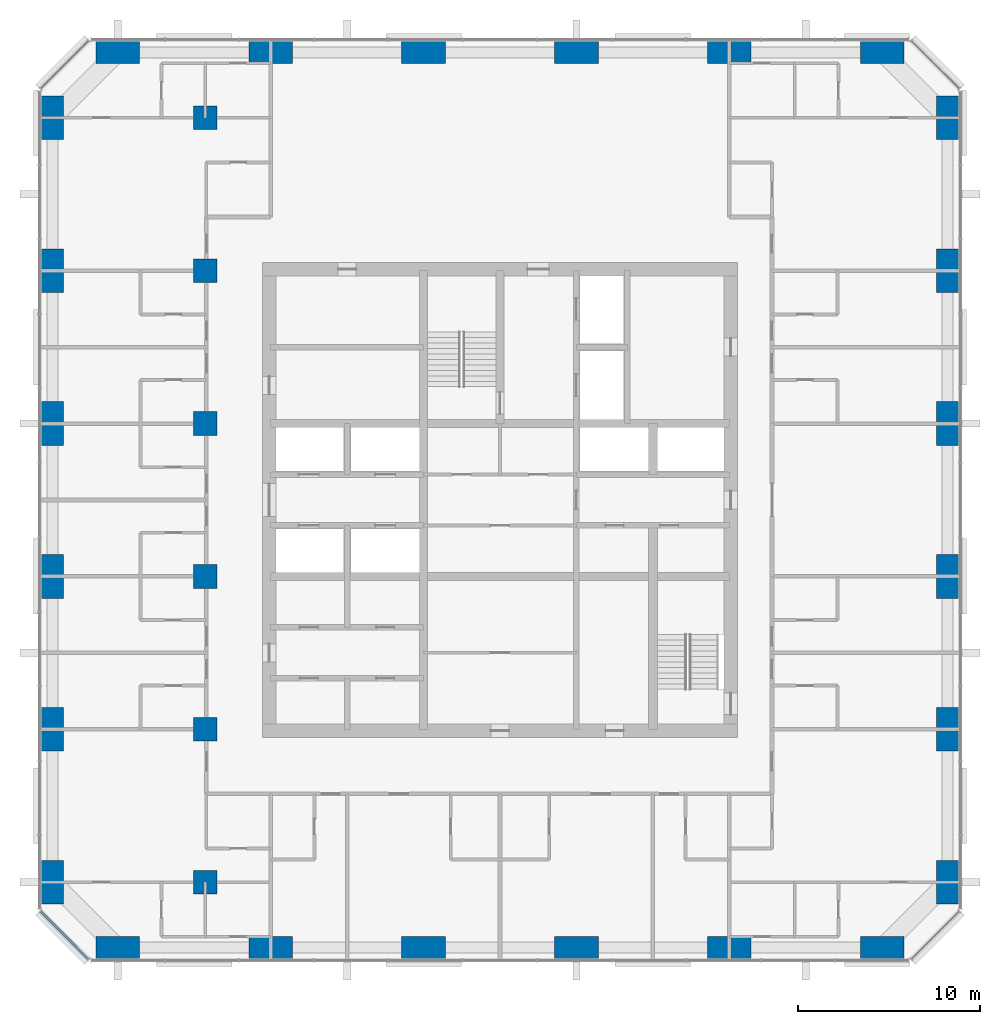
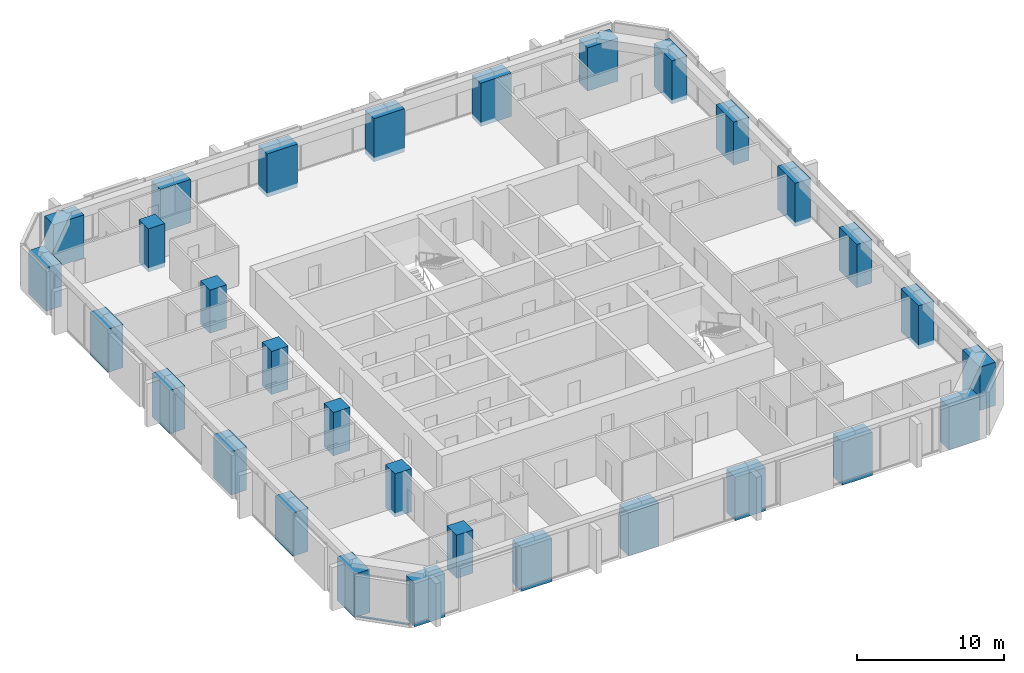
# One storey, part 1 of 13: 30 columns, 1 member, 1 element without a shape of its own.
"""IFC4 building model written with IfcOpenShell, lengths in metres."""

from ifc_helpers import new_model, si_unit, direction, frame, origin, origin_2d, place, context, subcontext, project, spatial, rectangle, extrude, material, material_profile, profile_set, type_object, element, aggregate, save


model = new_model("IFC4")

# Units and contexts
model_context = context("Model", 3, precision=1e-05, world=origin(), true_north=direction((0.0, 1.0)))
body_context = subcontext(model_context, "Body", "Model", "MODEL_VIEW")
ifc_project = project(units=[si_unit("LENGTHUNIT", "METRE"), si_unit("AREAUNIT", "SQUARE_METRE"), si_unit("VOLUMEUNIT", "CUBIC_METRE"), si_unit("PLANEANGLEUNIT", "RADIAN"), si_unit("MASSUNIT", "GRAM", prefix="KILO")], contexts=[model_context])

# Site, building, storey
site_placement = place(None, origin())
site = spatial("IfcSite", under=ifc_project, at=site_placement, CompositionType="ELEMENT")
building_placement = place(site_placement, origin())
building = spatial("IfcBuilding", under=site, at=building_placement, Name="Dunama Terrace Hotel", CompositionType="ELEMENT")
storey_placement = place(building_placement, frame((0.0, 0.0, 173.39990234375)))
storey = spatial("IfcBuildingStorey", under=building, at=storey_placement, Name="L44", CompositionType="ELEMENT", Elevation=173.39990234375)

# Columns
ifc_material_1 = material(Name="Concrete C60/75", Category="concrete")
ifc_material_profile_1 = material_profile(ifc_material_1, rectangle(XDim=1.199951171875, YDim=2.39990234375, at=origin_2d()), Name="RC 1200x2400")
ifc_profile_set_1 = profile_set([ifc_material_profile_1], Name="Concrete C60/75")
column_type_1 = type_object("IfcColumnType", Name="Column RC 1200x2400", PredefinedType="COLUMN", material=ifc_profile_set_1)
for number, where, z_axis, x_axis, name in (
    (1, (4.800048828125, 8.39990234375, -0.349853515625), (0.0, 0.0, 1.0), (1.0, 0.0, 0.0), "Column L44 +4.8/+8.4"),
    (2, (4.800048828125, 16.800048828125, -0.349853515625), (0.0, 0.0, 1.0), (1.0, 0.0, 0.0), "Column L44 +4.8/+16.8"),
    (3, (4.800048828125, 25.199951171875, -0.349853515625), (0.0, 0.0, 1.0), (1.0, 0.0, 0.0), "Column L44 +4.8/+25.2"),
    (4, (4.800048828125, 33.60009765625, -0.349853515625), (0.0, 0.0, 1.0), (1.0, 0.0, 0.0), "Column L44 +4.8/+33.6"),
    (5, (4.800048828125, 42.0, -0.349853515625), (0.0, 0.0, 1.0), (1.0, 0.0, 0.0), "Column L44 +4.8/+42.0"),
    (6, (4.800048828125, 50.39990234375, -0.349853515625), (0.0, 0.0, 1.0), (1.0, 0.0, 0.0), "Column L44 +4.8/+50.4"),
    (7, (54.0, 8.39990234375, -0.349853515625), (0.0, 0.0, 1.0), (1.0, 0.0, 0.0), "Column L44 +54.0/+8.4"),
    (8, (54.0, 16.800048828125, -0.349853515625), (0.0, 0.0, 1.0), (1.0, 0.0, 0.0), "Column L44 +54.0/+16.8"),
    (9, (54.0, 25.199951171875, -0.349853515625), (0.0, 0.0, 1.0), (1.0, 0.0, 0.0), "Column L44 +54.0/+25.2"),
    (10, (54.0, 33.60009765625, -0.349853515625), (0.0, 0.0, 1.0), (1.0, 0.0, 0.0), "Column L44 +54.0/+33.6"),
    (11, (54.0, 42.0, -0.349853515625), (0.0, 0.0, 1.0), (1.0, 0.0, 0.0), "Column L44 +54.0/+42.0"),
    (12, (54.0, 50.39990234375, -0.349853515625), (0.0, 0.0, 1.0), (1.0, 0.0, 0.0), "Column L44 +54.0/+50.4"),
):
    element("IfcColumn", number, at=place(storey_placement, frame(where, z_axis=z_axis, x_axis=x_axis)), inside=storey, type_object=column_type_1, Name=name, PredefinedType="COLUMN", context=body_context, shape_type="SweptSolid", body=[
        extrude(rectangle(XDim=1.199951171875, YDim=2.39990234375, at=origin_2d()), origin(), (0.0, 0.0, 1.0), 3.599853515625),
    ])
ifc_material_2 = material(Name="Concrete C60/75", Category="concrete")
ifc_material_profile_2 = material_profile(ifc_material_2, rectangle(XDim=1.300048828125, YDim=1.300048828125, at=origin_2d()), Name="RC 1300x1300")
ifc_profile_set_2 = profile_set([ifc_material_profile_2], Name="Concrete C60/75")
column_type_2 = type_object("IfcColumnType", Name="Column RC 1300x1300", PredefinedType="COLUMN", material=ifc_profile_set_2)
for number, where, z_axis, x_axis, name in (
    (13, (13.199951171875, 8.39990234375, -0.349853515625), (0.0, 0.0, 1.0), (1.0, 0.0, 0.0), "Column L44 +13.2/+8.4"),
    (14, (13.199951171875, 16.800048828125, -0.349853515625), (0.0, 0.0, 1.0), (1.0, 0.0, 0.0), "Column L44 +13.2/+16.8"),
    (15, (13.199951171875, 25.199951171875, -0.349853515625), (0.0, 0.0, 1.0), (1.0, 0.0, 0.0), "Column L44 +13.2/+25.2"),
    (16, (13.199951171875, 33.60009765625, -0.349853515625), (0.0, 0.0, 1.0), (1.0, 0.0, 0.0), "Column L44 +13.2/+33.6"),
    (17, (13.199951171875, 42.0, -0.349853515625), (0.0, 0.0, 1.0), (1.0, 0.0, 0.0), "Column L44 +13.2/+42.0"),
    (18, (13.199951171875, 50.39990234375, -0.349853515625), (0.0, 0.0, 1.0), (1.0, 0.0, 0.0), "Column L44 +13.2/+50.4"),
):
    element("IfcColumn", number, at=place(storey_placement, frame(where, z_axis=z_axis, x_axis=x_axis)), inside=storey, type_object=column_type_2, Name=name, PredefinedType="COLUMN", context=body_context, shape_type="SweptSolid", body=[
        extrude(rectangle(XDim=1.300048828125, YDim=1.300048828125, at=origin_2d()), origin(), (0.0, 0.0, 1.0), 3.599853515625),
    ])
ifc_material_3 = material(Name="Concrete C60/75", Category="concrete")
ifc_material_profile_3 = material_profile(ifc_material_3, rectangle(XDim=2.39990234375, YDim=1.199951171875, at=origin_2d()), Name="RC 2400x1200")
ifc_profile_set_3 = profile_set([ifc_material_profile_3], Name="Concrete C60/75")
column_type_3 = type_object("IfcColumnType", Name="Column RC 2400x1200", PredefinedType="COLUMN", material=ifc_profile_set_3)
for number, where, z_axis, x_axis, name in (
    (19, (8.39990234375, 4.800048828125, -0.349853515625), (0.0, 0.0, 1.0), (1.0, 0.0, 0.0), "Column L44 +8.4/+4.8"),
    (20, (8.39990234375, 54.0, -0.349853515625), (0.0, 0.0, 1.0), (1.0, 0.0, 0.0), "Column L44 +8.4/+54.0"),
    (21, (16.800048828125, 4.800048828125, -0.349853515625), (0.0, 0.0, 1.0), (1.0, 0.0, 0.0), "Column L44 +16.8/+4.8"),
    (22, (16.800048828125, 54.0, -0.349853515625), (0.0, 0.0, 1.0), (1.0, 0.0, 0.0), "Column L44 +16.8/+54.0"),
    (23, (25.199951171875, 4.800048828125, -0.349853515625), (0.0, 0.0, 1.0), (1.0, 0.0, 0.0), "Column L44 +25.2/+4.8"),
    (24, (25.199951171875, 54.0, -0.349853515625), (0.0, 0.0, 1.0), (1.0, 0.0, 0.0), "Column L44 +25.2/+54.0"),
    (25, (33.60009765625, 4.800048828125, -0.349853515625), (0.0, 0.0, 1.0), (1.0, 0.0, 0.0), "Column L44 +33.6/+4.8"),
    (26, (33.60009765625, 54.0, -0.349853515625), (0.0, 0.0, 1.0), (1.0, 0.0, 0.0), "Column L44 +33.6/+54.0"),
    (27, (42.0, 4.800048828125, -0.349853515625), (0.0, 0.0, 1.0), (1.0, 0.0, 0.0), "Column L44 +42.0/+4.8"),
    (28, (42.0, 54.0, -0.349853515625), (0.0, 0.0, 1.0), (1.0, 0.0, 0.0), "Column L44 +42.0/+54.0"),
    (29, (50.39990234375, 4.800048828125, -0.349853515625), (0.0, 0.0, 1.0), (1.0, 0.0, 0.0), "Column L44 +50.4/+4.8"),
    (30, (50.39990234375, 54.0, -0.349853515625), (0.0, 0.0, 1.0), (1.0, 0.0, 0.0), "Column L44 +50.4/+54.0"),
):
    element("IfcColumn", number, at=place(storey_placement, frame(where, z_axis=z_axis, x_axis=x_axis)), inside=storey, type_object=column_type_3, Name=name, PredefinedType="COLUMN", context=body_context, shape_type="SweptSolid", body=[
        extrude(rectangle(XDim=2.39990234375, YDim=1.199951171875, at=origin_2d()), origin(), (0.0, 0.0, 1.0), 3.599853515625),
    ])

# Curtain wall, member
ifc_material_4 = material(Name="Aluminium curtain wall system", Category="aluminium")
curtain_wall_type = type_object("IfcCurtainWallType", Name="Unitised fritted glass wall CW-C", PredefinedType="NOTDEFINED", material=ifc_material_4)
curtain_wall_placement = place(storey_placement, origin())
curtain_wall = element("IfcCurtainWall", 31, at=curtain_wall_placement, inside=storey, type_object=curtain_wall_type, Name="Unitised fritted glass wall CW-C L44", PredefinedType="NOTDEFINED")
ifc_material_5 = material(Name="Aluminium transom", Category="aluminium")
ifc_material_profile_4 = material_profile(ifc_material_5, rectangle(XDim=0.159912109375, YDim=0.080078125, at=origin_2d()), Name="CWC TRANSOM 160X80")
ifc_profile_set_4 = profile_set([ifc_material_profile_4], Name="Aluminium transom")
member_type = type_object("IfcMemberType", Name="CWC transom 160x80", PredefinedType="USERDEFINED", material=ifc_profile_set_4)
member_placement = place(storey_placement, frame((4.178955078125, 6.780029296875, 0.0400390625), z_axis=(0.707106781187, -0.707106781187, 0.0), x_axis=(0.707106781187, 0.707106781187, 0.0)))
member = element("IfcMember", 32, at=member_placement, type_object=member_type, Name="CWC transom", ObjectType="TRANSOM", PredefinedType="USERDEFINED", context=body_context, shape_type="SweptSolid", body=[
    extrude(rectangle(XDim=0.159912109375, YDim=0.080078125, at=origin_2d()), origin(), (0.0, 0.0, 1.0), 3.678466796875),
])
aggregate(curtain_wall, [member])

save(model, "model.ifc")
